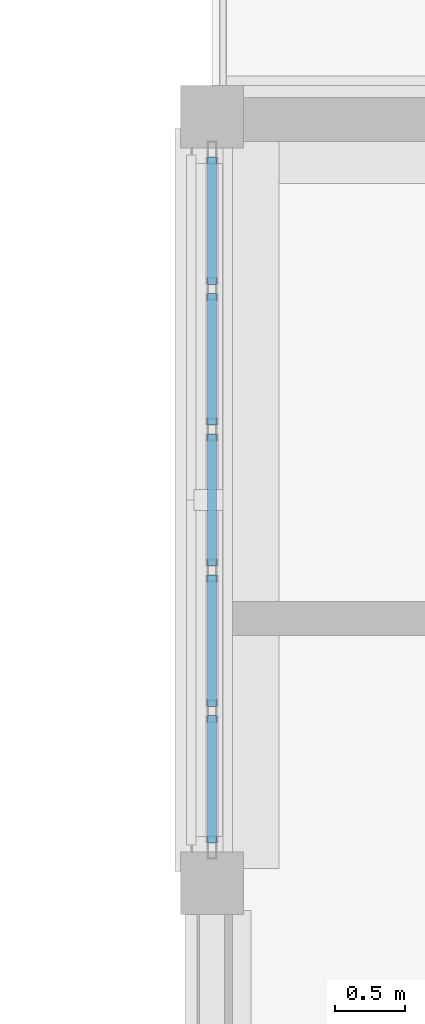
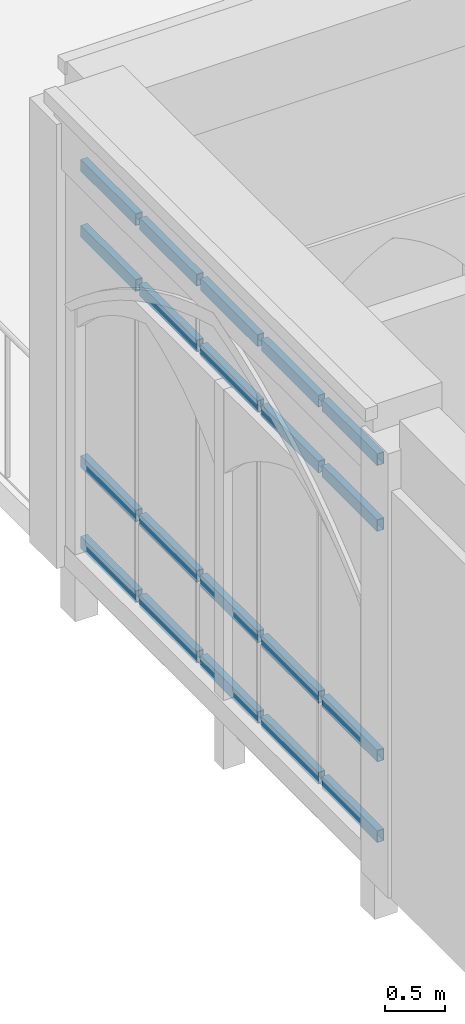
# One storey, part 31 of 59: 20 members, 1 element without a shape of its own.
"""IFC4 building model written with IfcOpenShell, lengths in metres."""

from ifc_helpers import new_model, si_unit, direction, frame, origin, origin_2d, place, context, subcontext, project, spatial, hollow_rectangle, extrude, material, layer, layer_set, material_profile, profile_set, type_object, element, aggregate, save


model = new_model("IFC4")

# Units and contexts
model_context = context("Model", 3, precision=1e-05, world=origin(), true_north=direction((0.0, 1.0)))
body_context = subcontext(model_context, "Body", "Model", "MODEL_VIEW")
ifc_project = project(units=[si_unit("LENGTHUNIT", "METRE"), si_unit("AREAUNIT", "SQUARE_METRE"), si_unit("VOLUMEUNIT", "CUBIC_METRE"), si_unit("PLANEANGLEUNIT", "RADIAN"), si_unit("MASSUNIT", "GRAM", prefix="KILO")], contexts=[model_context])

# Site, building, storey
site_placement = place(None, origin())
site = spatial("IfcSite", under=ifc_project, at=site_placement, CompositionType="ELEMENT")
building_placement = place(site_placement, origin())
building = spatial("IfcBuilding", under=site, at=building_placement, Name="Cumevento Cable Car Station", CompositionType="ELEMENT")
storey_placement = place(building_placement, frame((0.0, 0.0, 18.0)))
storey = spatial("IfcBuildingStorey", under=building, at=storey_placement, Name="L05", CompositionType="ELEMENT", Elevation=18.0)

# Curtain wall, members
ifc_material_1 = material(Name="Anodised Bronze Aluminium AW-6063-T6", Category="aluminium")
ifc_layer = layer(ifc_material_1, 0.166015625)
ifc_layer_set = layer_set([ifc_layer], Name="Anodised Bronze Aluminium AW-6063-T6")
curtain_wall_type = type_object("IfcCurtainWallType", Name="Lancet Curtain Wall CW-02 1090", PredefinedType="NOTDEFINED", material=ifc_layer_set)
curtain_wall_placement = place(storey_placement, origin())
curtain_wall = element("IfcCurtainWall", 1, at=curtain_wall_placement, inside=storey, type_object=curtain_wall_type, Name="Lancet Curtain Wall CW-02 L05 #209", PredefinedType="NOTDEFINED")
ifc_material_2 = material(Name="Anodised Bronze Aluminium AW-6063-T6", Category="aluminium")
ifc_material_profile = material_profile(ifc_material_2, hollow_rectangle(XDim=0.06494140625, YDim=0.1201171875, WallThickness=0.00390625, at=origin_2d()), Name="ALUT65x120x4")
ifc_profile_set = profile_set([ifc_material_profile], Name="Anodised Bronze Aluminium AW-6063-T6")
member_type = type_object("IfcMemberType", Name="Curtain Transom CWT-01 ALUT65x120x4", PredefinedType="USERDEFINED", material=ifc_profile_set)
member_1_placement = place(storey_placement, frame((22.0, 51.2900390625, 0.242431640625), z_axis=(0.0, 1.0, 0.0), x_axis=(-1.0, 0.0, 0.0)))
member_1 = element("IfcMember", 2, at=member_1_placement, type_object=member_type, Name="CW-02 transom 1.1", ObjectType="TRANSOM", PredefinedType="USERDEFINED", context=body_context, shape_type="SweptSolid", body=[
    extrude(hollow_rectangle(XDim=0.06494140625, YDim=0.1201171875, WallThickness=0.00390625, at=origin_2d()), origin(), (0.0, 0.0, 1.0), 0.912353515625),
])
member_2_placement = place(storey_placement, frame((22.0, 51.2900390625, 1.06005859375), z_axis=(0.0, 1.0, 0.0), x_axis=(-1.0, 0.0, 0.0)))
member_2 = element("IfcMember", 3, at=member_2_placement, type_object=member_type, Name="CW-02 transom 1.2", ObjectType="TRANSOM", PredefinedType="USERDEFINED", context=body_context, shape_type="SweptSolid", body=[
    extrude(hollow_rectangle(XDim=0.06494140625, YDim=0.1201171875, WallThickness=0.00390625, at=origin_2d()), origin(), (0.0, 0.0, 1.0), 0.912353515625),
])
member_3_placement = place(storey_placement, frame((22.0, 51.2900390625, 3.39306640625), z_axis=(0.0, 1.0, 0.0), x_axis=(-1.0, 0.0, 0.0)))
member_3 = element("IfcMember", 4, at=member_3_placement, type_object=member_type, Name="CW-02 transom 1.3", ObjectType="TRANSOM", PredefinedType="USERDEFINED", context=body_context, shape_type="SweptSolid", body=[
    extrude(hollow_rectangle(XDim=0.06494140625, YDim=0.1201171875, WallThickness=0.00390625, at=origin_2d()), origin(), (0.0, 0.0, 1.0), 0.912353515625),
])
member_4_placement = place(storey_placement, frame((22.0, 51.2900390625, 4.060546875), z_axis=(0.0, 1.0, 0.0), x_axis=(-1.0, 0.0, 0.0)))
member_4 = element("IfcMember", 5, at=member_4_placement, type_object=member_type, Name="CW-02 transom 1.4", ObjectType="TRANSOM", PredefinedType="USERDEFINED", context=body_context, shape_type="SweptSolid", body=[
    extrude(hollow_rectangle(XDim=0.06494140625, YDim=0.1201171875, WallThickness=0.00390625, at=origin_2d()), origin(), (0.0, 0.0, 1.0), 0.912353515625),
])
member_5_placement = place(storey_placement, frame((22.0, 52.267578125, 0.242431640625), z_axis=(0.0, 1.0, 0.0), x_axis=(-1.0, 0.0, 0.0)))
member_5 = element("IfcMember", 6, at=member_5_placement, type_object=member_type, Name="CW-02 transom 2.1", ObjectType="TRANSOM", PredefinedType="USERDEFINED", context=body_context, shape_type="SweptSolid", body=[
    extrude(hollow_rectangle(XDim=0.06494140625, YDim=0.1201171875, WallThickness=0.00390625, at=origin_2d()), origin(), (0.0, 0.0, 1.0), 0.94482421875),
])
member_6_placement = place(storey_placement, frame((22.0, 52.267578125, 1.06005859375), z_axis=(0.0, 1.0, 0.0), x_axis=(-1.0, 0.0, 0.0)))
member_6 = element("IfcMember", 7, at=member_6_placement, type_object=member_type, Name="CW-02 transom 2.2", ObjectType="TRANSOM", PredefinedType="USERDEFINED", context=body_context, shape_type="SweptSolid", body=[
    extrude(hollow_rectangle(XDim=0.06494140625, YDim=0.1201171875, WallThickness=0.00390625, at=origin_2d()), origin(), (0.0, 0.0, 1.0), 0.94482421875),
])
member_7_placement = place(storey_placement, frame((22.0, 52.267578125, 3.39306640625), z_axis=(0.0, 1.0, 0.0), x_axis=(-1.0, 0.0, 0.0)))
member_7 = element("IfcMember", 8, at=member_7_placement, type_object=member_type, Name="CW-02 transom 2.3", ObjectType="TRANSOM", PredefinedType="USERDEFINED", context=body_context, shape_type="SweptSolid", body=[
    extrude(hollow_rectangle(XDim=0.06494140625, YDim=0.1201171875, WallThickness=0.00390625, at=origin_2d()), origin(), (0.0, 0.0, 1.0), 0.94482421875),
])
member_8_placement = place(storey_placement, frame((22.0, 52.267578125, 4.060546875), z_axis=(0.0, 1.0, 0.0), x_axis=(-1.0, 0.0, 0.0)))
member_8 = element("IfcMember", 9, at=member_8_placement, type_object=member_type, Name="CW-02 transom 2.4", ObjectType="TRANSOM", PredefinedType="USERDEFINED", context=body_context, shape_type="SweptSolid", body=[
    extrude(hollow_rectangle(XDim=0.06494140625, YDim=0.1201171875, WallThickness=0.00390625, at=origin_2d()), origin(), (0.0, 0.0, 1.0), 0.94482421875),
])
member_9_placement = place(storey_placement, frame((22.0, 53.277587890625, 0.242431640625), z_axis=(0.0, 1.0, 0.0), x_axis=(-1.0, 0.0, 0.0)))
member_9 = element("IfcMember", 10, at=member_9_placement, type_object=member_type, Name="CW-02 transom 3.1", ObjectType="TRANSOM", PredefinedType="USERDEFINED", context=body_context, shape_type="SweptSolid", body=[
    extrude(hollow_rectangle(XDim=0.06494140625, YDim=0.1201171875, WallThickness=0.00390625, at=origin_2d()), origin(), (0.0, 0.0, 1.0), 0.94482421875),
])
member_10_placement = place(storey_placement, frame((22.0, 53.277587890625, 1.06005859375), z_axis=(0.0, 1.0, 0.0), x_axis=(-1.0, 0.0, 0.0)))
member_10 = element("IfcMember", 11, at=member_10_placement, type_object=member_type, Name="CW-02 transom 3.2", ObjectType="TRANSOM", PredefinedType="USERDEFINED", context=body_context, shape_type="SweptSolid", body=[
    extrude(hollow_rectangle(XDim=0.06494140625, YDim=0.1201171875, WallThickness=0.00390625, at=origin_2d()), origin(), (0.0, 0.0, 1.0), 0.94482421875),
])
member_11_placement = place(storey_placement, frame((22.0, 53.277587890625, 3.39306640625), z_axis=(0.0, 1.0, 0.0), x_axis=(-1.0, 0.0, 0.0)))
member_11 = element("IfcMember", 12, at=member_11_placement, type_object=member_type, Name="CW-02 transom 3.3", ObjectType="TRANSOM", PredefinedType="USERDEFINED", context=body_context, shape_type="SweptSolid", body=[
    extrude(hollow_rectangle(XDim=0.06494140625, YDim=0.1201171875, WallThickness=0.00390625, at=origin_2d()), origin(), (0.0, 0.0, 1.0), 0.94482421875),
])
member_12_placement = place(storey_placement, frame((22.0, 53.277587890625, 4.060546875), z_axis=(0.0, 1.0, 0.0), x_axis=(-1.0, 0.0, 0.0)))
member_12 = element("IfcMember", 13, at=member_12_placement, type_object=member_type, Name="CW-02 transom 3.4", ObjectType="TRANSOM", PredefinedType="USERDEFINED", context=body_context, shape_type="SweptSolid", body=[
    extrude(hollow_rectangle(XDim=0.06494140625, YDim=0.1201171875, WallThickness=0.00390625, at=origin_2d()), origin(), (0.0, 0.0, 1.0), 0.94482421875),
])
member_13_placement = place(storey_placement, frame((22.0, 54.28759765625, 0.242431640625), z_axis=(0.0, 1.0, 0.0), x_axis=(-1.0, 0.0, 0.0)))
member_13 = element("IfcMember", 14, at=member_13_placement, type_object=member_type, Name="CW-02 transom 4.1", ObjectType="TRANSOM", PredefinedType="USERDEFINED", context=body_context, shape_type="SweptSolid", body=[
    extrude(hollow_rectangle(XDim=0.06494140625, YDim=0.1201171875, WallThickness=0.00390625, at=origin_2d()), origin(), (0.0, 0.0, 1.0), 0.94482421875),
])
member_14_placement = place(storey_placement, frame((22.0, 54.28759765625, 1.06005859375), z_axis=(0.0, 1.0, 0.0), x_axis=(-1.0, 0.0, 0.0)))
member_14 = element("IfcMember", 15, at=member_14_placement, type_object=member_type, Name="CW-02 transom 4.2", ObjectType="TRANSOM", PredefinedType="USERDEFINED", context=body_context, shape_type="SweptSolid", body=[
    extrude(hollow_rectangle(XDim=0.06494140625, YDim=0.1201171875, WallThickness=0.00390625, at=origin_2d()), origin(), (0.0, 0.0, 1.0), 0.94482421875),
])
member_15_placement = place(storey_placement, frame((22.0, 54.28759765625, 3.39306640625), z_axis=(0.0, 1.0, 0.0), x_axis=(-1.0, 0.0, 0.0)))
member_15 = element("IfcMember", 16, at=member_15_placement, type_object=member_type, Name="CW-02 transom 4.3", ObjectType="TRANSOM", PredefinedType="USERDEFINED", context=body_context, shape_type="SweptSolid", body=[
    extrude(hollow_rectangle(XDim=0.06494140625, YDim=0.1201171875, WallThickness=0.00390625, at=origin_2d()), origin(), (0.0, 0.0, 1.0), 0.94482421875),
])
member_16_placement = place(storey_placement, frame((22.0, 54.28759765625, 4.060546875), z_axis=(0.0, 1.0, 0.0), x_axis=(-1.0, 0.0, 0.0)))
member_16 = element("IfcMember", 17, at=member_16_placement, type_object=member_type, Name="CW-02 transom 4.4", ObjectType="TRANSOM", PredefinedType="USERDEFINED", context=body_context, shape_type="SweptSolid", body=[
    extrude(hollow_rectangle(XDim=0.06494140625, YDim=0.1201171875, WallThickness=0.00390625, at=origin_2d()), origin(), (0.0, 0.0, 1.0), 0.94482421875),
])
member_17_placement = place(storey_placement, frame((22.0, 55.297607421875, 0.242431640625), z_axis=(0.0, 1.0, 0.0), x_axis=(-1.0, 0.0, 0.0)))
member_17 = element("IfcMember", 18, at=member_17_placement, type_object=member_type, Name="CW-02 transom 5.1", ObjectType="TRANSOM", PredefinedType="USERDEFINED", context=body_context, shape_type="SweptSolid", body=[
    extrude(hollow_rectangle(XDim=0.06494140625, YDim=0.1201171875, WallThickness=0.00390625, at=origin_2d()), origin(), (0.0, 0.0, 1.0), 0.912353515625),
])
member_18_placement = place(storey_placement, frame((22.0, 55.297607421875, 1.06005859375), z_axis=(0.0, 1.0, 0.0), x_axis=(-1.0, 0.0, 0.0)))
member_18 = element("IfcMember", 19, at=member_18_placement, type_object=member_type, Name="CW-02 transom 5.2", ObjectType="TRANSOM", PredefinedType="USERDEFINED", context=body_context, shape_type="SweptSolid", body=[
    extrude(hollow_rectangle(XDim=0.06494140625, YDim=0.1201171875, WallThickness=0.00390625, at=origin_2d()), origin(), (0.0, 0.0, 1.0), 0.912353515625),
])
member_19_placement = place(storey_placement, frame((22.0, 55.297607421875, 3.39306640625), z_axis=(0.0, 1.0, 0.0), x_axis=(-1.0, 0.0, 0.0)))
member_19 = element("IfcMember", 20, at=member_19_placement, type_object=member_type, Name="CW-02 transom 5.3", ObjectType="TRANSOM", PredefinedType="USERDEFINED", context=body_context, shape_type="SweptSolid", body=[
    extrude(hollow_rectangle(XDim=0.06494140625, YDim=0.1201171875, WallThickness=0.00390625, at=origin_2d()), origin(), (0.0, 0.0, 1.0), 0.912353515625),
])
member_20_placement = place(storey_placement, frame((22.0, 55.297607421875, 4.060546875), z_axis=(0.0, 1.0, 0.0), x_axis=(-1.0, 0.0, 0.0)))
member_20 = element("IfcMember", 21, at=member_20_placement, type_object=member_type, Name="CW-02 transom 5.4", ObjectType="TRANSOM", PredefinedType="USERDEFINED", context=body_context, shape_type="SweptSolid", body=[
    extrude(hollow_rectangle(XDim=0.06494140625, YDim=0.1201171875, WallThickness=0.00390625, at=origin_2d()), origin(), (0.0, 0.0, 1.0), 0.912353515625),
])
aggregate(curtain_wall, [member_1, member_2, member_3, member_4, member_5, member_6, member_7, member_8, member_9, member_10, member_11, member_12, member_13, member_14, member_15, member_16, member_17, member_18, member_19, member_20])

save(model, "model.ifc")
